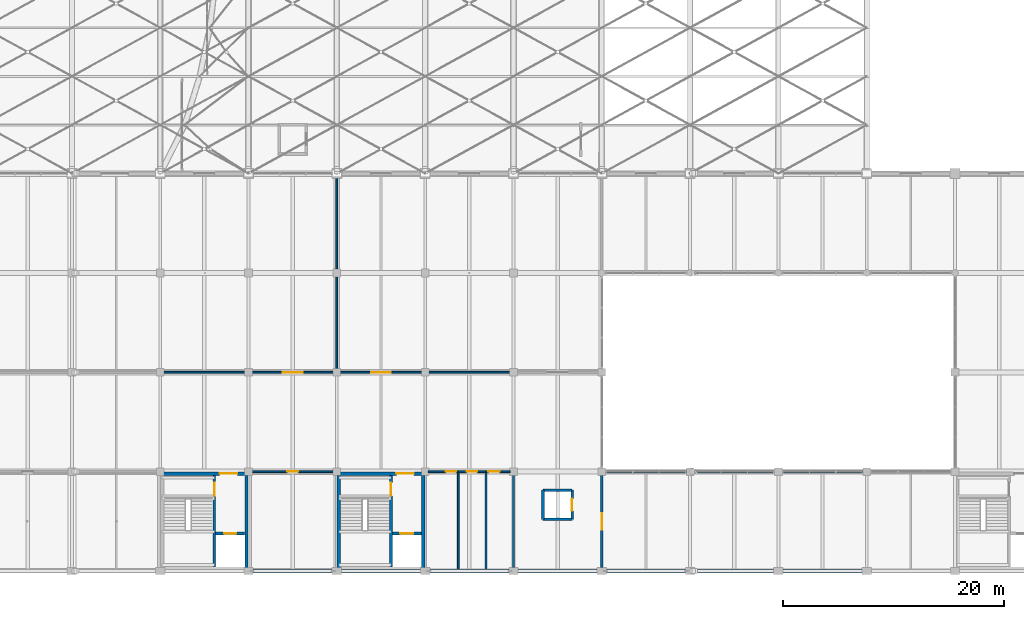
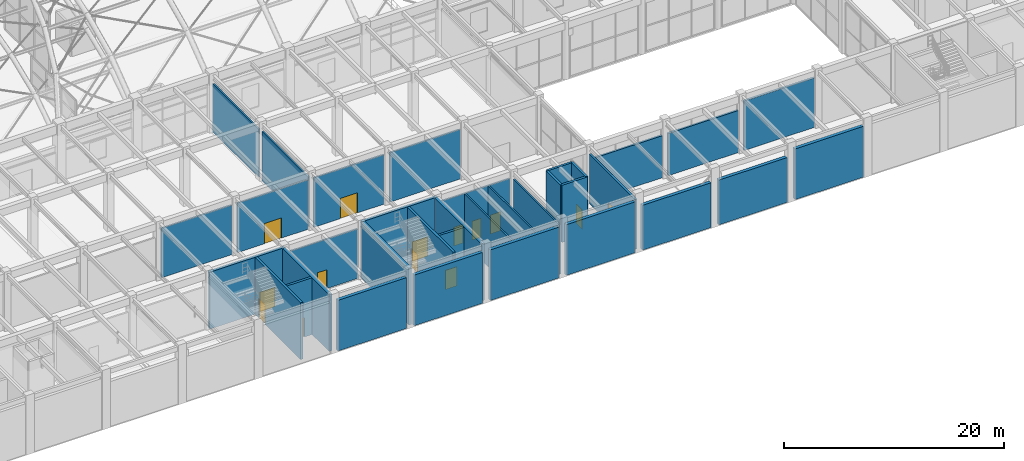
# One storey, part 128 of 163: 37 walls, 14 doors, 14 openings.
"""IFC4 building model written with IfcOpenShell, lengths in metres."""

from ifc_helpers import new_model, si_unit, direction, frame, frame_2d, origin, place, context, subcontext, project, spatial, rectangle, extrude, material, layer, layer_set, type_object, element, fill, save


model = new_model("IFC4")

# Units and contexts
model_context = context("Model", 3, precision=1e-05, world=origin(), true_north=direction((0.0, 1.0)))
body_context = subcontext(model_context, "Body", "Model", "MODEL_VIEW")
ifc_project = project(units=[si_unit("LENGTHUNIT", "METRE"), si_unit("AREAUNIT", "SQUARE_METRE"), si_unit("VOLUMEUNIT", "CUBIC_METRE"), si_unit("PLANEANGLEUNIT", "RADIAN"), si_unit("MASSUNIT", "GRAM", prefix="KILO")], contexts=[model_context])

# Site, building, storey
site_placement = place(None, origin())
site = spatial("IfcSite", under=ifc_project, at=site_placement, CompositionType="ELEMENT")
building_placement = place(site_placement, origin())
building = spatial("IfcBuilding", under=site, at=building_placement, Name="Varnabhumi Central Station", CompositionType="ELEMENT")
storey_placement = place(building_placement, frame((0.0, 0.0, 9.60009765625)))
storey = spatial("IfcBuildingStorey", under=building, at=storey_placement, Name="L02", CompositionType="ELEMENT", Elevation=9.60009765625)

# Walls
ifc_material_1 = material(Name="Autoclaved aerated blockwork masonry", Category="masonry")
ifc_layer_1 = layer(ifc_material_1, 0.219970703125, Name="Autoclaved aerated blockwork masonry", Category="masonry")
ifc_layer_set_1 = layer_set([ifc_layer_1], Name="Autoclaved aerated blockwork masonry")
wall_type_1 = type_object("IfcWallType", Name="WAL-COMP-AAC-220", PredefinedType="SOLIDWALL", material=ifc_layer_set_1)
for number, where, z_axis, x_axis, name in (
    (1, (112.300048828125, 9.0, 0.0), (0.0, 0.0, 1.0), (1.0, 0.0, 0.0), "Concourse AHU Plant Room Corridor Partition 1"),
    (2, (120.300048828125, 9.0, 0.0), (0.0, 0.0, 1.0), (1.0, 0.0, 0.0), "Concourse AHU Plant Room Corridor Partition 2"),
):
    element("IfcWall", number, at=place(storey_placement, frame(where, z_axis=z_axis, x_axis=x_axis)), inside=storey, type_object=wall_type_1, Name=name, PredefinedType="SOLIDWALL", context=body_context, shape_type="SweptSolid", body=[
        extrude(rectangle(XDim=7.39990234375, YDim=0.219970703125, at=frame_2d((3.699951171875, 0.0))), origin(), (0.0, 0.0, 1.0), 4.679931640625),
    ])
wall_1_placement = place(storey_placement, frame((128.300048828125, 9.0, 0.0), z_axis=(0.0, 0.0, 1.0), x_axis=(1.0, 0.0, 0.0)))
element("IfcWall", 3, at=wall_1_placement, inside=storey, type_object=wall_type_1, Name="Concourse AHU Plant Room Corridor Partition 3", PredefinedType="SOLIDWALL", context=body_context, shape_type="SweptSolid", body=[
    extrude(rectangle(XDim=7.39990234375, YDim=0.219970703125, at=frame_2d((3.699951171875, 0.0))), origin(), (0.0, 0.0, 1.0), 5.5),
])

# Wall, opening, door
wall_2_placement = place(storey_placement, frame((112.0, 0.300048828125, 0.0), z_axis=(0.0, 0.0, 1.0), x_axis=(0.0, 1.0, 0.0)))
wall_2 = element("IfcWall", 4, at=wall_2_placement, inside=storey, type_object=wall_type_1, Name="Concourse AHU Plant Room E Partition 1", PredefinedType="SOLIDWALL", context=body_context, shape_type="SweptSolid", body=[
    extrude(rectangle(XDim=8.39990234375, YDim=0.219970703125, at=frame_2d((4.199951171875, 0.0))), origin(), (0.0, 0.0, 1.0), 5.5),
])
opening_1_placement = place(wall_2_placement, frame((3.449951171875, 0.0, 0.0)))
opening_1 = element("IfcOpeningElement", 5, at=opening_1_placement, cuts=wall_2, Name="Opening FD-PLT", PredefinedType="OPENING", context=body_context, shape_type="SweptSolid", body=[
    extrude(rectangle(XDim=1.5, YDim=2.199951171875, at=frame_2d((0.75, 1.10009765625))), frame((0.0, 0.119873046875, 0.0), z_axis=(0.0, -1.0, 0.0), x_axis=(1.0, 0.0, 0.0)), (0.0, 0.0, 1.0), 0.239990234375),
])
ifc_material_2 = material(Name="Stainless steel Grade 316", Category="steel")
door_type_1 = type_object("IfcDoorType", Name="DR-PLANT-1500", OperationType="NOTDEFINED", PredefinedType="DOOR", material=ifc_material_2)
door_1_placement = place(opening_1_placement, frame((1.5, 0.0, 0.0), z_axis=(0.0, 0.0, 1.0), x_axis=(-1.0, 0.0, 0.0)))
door_1 = element("IfcDoor", 6, at=door_1_placement, inside=storey, type_object=door_type_1, Name="Concourse AHU Plant Room Corridor Access Door", OperationType="DOUBLE_DOOR_SINGLE_SWING", OverallHeight=2.199951171875, OverallWidth=1.5, PredefinedType="DOOR", context=body_context, shape_type="SweptSolid", body=[
    extrude(rectangle(XDim=1.5, YDim=2.199951171875, at=frame_2d((0.75, 1.10009765625))), frame((0.0, 0.02490234375, 0.0), z_axis=(0.0, -1.0, 0.0), x_axis=(1.0, 0.0, 0.0)), (0.0, 0.0, 1.0), 0.050048828125),
])
fill(opening_1, door_1)

# Walls
ifc_material_3 = material(Name="Concrete M40", Category="concrete")
ifc_layer_2 = layer(ifc_material_3, 0.300048828125, Name="Concrete M40", Category="concrete")
ifc_layer_set_2 = layer_set([ifc_layer_2], Name="Concrete M40")
wall_type_2 = type_object("IfcWallType", Name="WAL-CORE-RC-300", PredefinedType="SHEAR", material=ifc_layer_set_2)
for number, where, z_axis, x_axis, name in (
    (7, (88.179931640625, 0.179931640625, 0.0), (0.0, 0.0, 1.0), (0.0, 1.0, 0.0), "SC2 L02 West Shear Wall"),
    (8, (95.820068359375, 0.179931640625, 0.0), (0.0, 0.0, 1.0), (0.0, 1.0, 0.0), "SC2 L02 East Shear Wall"),
):
    element("IfcWall", number, at=place(storey_placement, frame(where, z_axis=z_axis, x_axis=x_axis)), inside=storey, type_object=wall_type_2, Name=name, PredefinedType="SHEAR", context=body_context, shape_type="SweptSolid", body=[
        extrude(rectangle(XDim=8.64013671875, YDim=0.300048828125, at=frame_2d((4.320068359375, 0.0))), origin(), (0.0, 0.0, 1.0), 6.31982421875),
    ])

# Wall, opening, door
wall_3_placement = place(storey_placement, frame((88.030029296875, 8.820068359375, 0.0), z_axis=(0.0, 0.0, 1.0), x_axis=(1.0, 0.0, 0.0)))
wall_3 = element("IfcWall", 9, at=wall_3_placement, inside=storey, type_object=wall_type_2, Name="SC2 L02 Corridor Shear Wall", PredefinedType="SHEAR", context=body_context, shape_type="SweptSolid", body=[
    extrude(rectangle(XDim=7.93994140625, YDim=0.300048828125, at=frame_2d((3.969970703125, 0.0))), origin(), (0.0, 0.0, 1.0), 6.31982421875),
])
opening_2_placement = place(wall_3_placement, frame((5.35009765625, 0.0, 0.0)))
opening_2 = element("IfcOpeningElement", 10, at=opening_2_placement, cuts=wall_3, Name="Opening FD-60D", PredefinedType="OPENING", context=body_context, shape_type="SweptSolid", body=[
    extrude(rectangle(XDim=1.60009765625, YDim=2.14990234375, at=frame_2d((0.800048828125, 1.074951171875))), frame((0.0, 0.159912109375, 0.0), z_axis=(0.0, -1.0, 0.0), x_axis=(1.0, 0.0, 0.0)), (0.0, 0.0, 1.0), 0.320068359375),
])
ifc_material_4 = material(Name="Intumescent-treated hardwood timber", Category="wood")
door_type_2 = type_object("IfcDoorType", Name="DR-FIRE-60-1600", OperationType="NOTDEFINED", PredefinedType="DOOR", material=ifc_material_4)
door_2_placement = place(opening_2_placement, origin())
door_2 = element("IfcDoor", 11, at=door_2_placement, inside=storey, type_object=door_type_2, Name="SC2 L02 Lobby Fire Door", OperationType="DOUBLE_DOOR_SINGLE_SWING", OverallHeight=2.14990234375, OverallWidth=1.60009765625, PredefinedType="DOOR", context=body_context, shape_type="SweptSolid", body=[
    extrude(rectangle(XDim=1.60009765625, YDim=2.14990234375, at=frame_2d((0.800048828125, 1.074951171875))), frame((0.0, 0.02490234375, 0.0), z_axis=(0.0, -1.0, 0.0), x_axis=(1.0, 0.0, 0.0)), (0.0, 0.0, 1.0), 0.050048828125),
])
fill(opening_2, door_2)

# Wall
wall_4_placement = place(storey_placement, frame((79.820068359375, 0.179931640625, 0.0), z_axis=(0.0, 0.0, 1.0), x_axis=(0.0, 1.0, 0.0)))
element("IfcWall", 12, at=wall_4_placement, inside=storey, type_object=wall_type_2, Name="SC4 L02 East Shear Wall", PredefinedType="SHEAR", context=body_context, shape_type="SweptSolid", body=[
    extrude(rectangle(XDim=8.64013671875, YDim=0.300048828125, at=frame_2d((4.320068359375, 0.0))), origin(), (0.0, 0.0, 1.0), 6.31982421875),
])

# Wall, opening, door
wall_5_placement = place(storey_placement, frame((72.030029296875, 8.820068359375, 0.0), z_axis=(0.0, 0.0, 1.0), x_axis=(1.0, 0.0, 0.0)))
wall_5 = element("IfcWall", 13, at=wall_5_placement, inside=storey, type_object=wall_type_2, Name="SC4 L02 Corridor Shear Wall", PredefinedType="SHEAR", context=body_context, shape_type="SweptSolid", body=[
    extrude(rectangle(XDim=7.93994140625, YDim=0.300048828125, at=frame_2d((3.969970703125, 0.0))), origin(), (0.0, 0.0, 1.0), 6.31982421875),
])
opening_3_placement = place(wall_5_placement, frame((5.35009765625, 0.0, 0.0)))
opening_3 = element("IfcOpeningElement", 14, at=opening_3_placement, cuts=wall_5, Name="Opening FD-60D", PredefinedType="OPENING", context=body_context, shape_type="SweptSolid", body=[
    extrude(rectangle(XDim=1.60009765625, YDim=2.14990234375, at=frame_2d((0.800048828125, 1.074951171875))), frame((0.0, 0.159912109375, 0.0), z_axis=(0.0, -1.0, 0.0), x_axis=(1.0, 0.0, 0.0)), (0.0, 0.0, 1.0), 0.320068359375),
])
door_3_placement = place(opening_3_placement, origin())
door_3 = element("IfcDoor", 15, at=door_3_placement, inside=storey, type_object=door_type_2, Name="SC4 L02 Lobby Fire Door", OperationType="DOUBLE_DOOR_SINGLE_SWING", OverallHeight=2.14990234375, OverallWidth=1.60009765625, PredefinedType="DOOR", context=body_context, shape_type="SweptSolid", body=[
    extrude(rectangle(XDim=1.60009765625, YDim=2.14990234375, at=frame_2d((0.800048828125, 1.074951171875))), frame((0.0, 0.02490234375, 0.0), z_axis=(0.0, -1.0, 0.0), x_axis=(1.0, 0.0, 0.0)), (0.0, 0.0, 1.0), 0.050048828125),
])
fill(opening_3, door_3)

# Wall
ifc_layer_3 = layer(ifc_material_1, 0.159912109375, Name="Autoclaved aerated blockwork masonry", Category="masonry")
ifc_layer_set_3 = layer_set([ifc_layer_3], Name="Autoclaved aerated blockwork masonry")
wall_type_3 = type_object("IfcWallType", Name="WAL-PART-AAC-160", PredefinedType="PARTITIONING", material=ifc_layer_set_3)
wall_6_placement = place(storey_placement, frame((72.300048828125, 18.0, 0.0), z_axis=(0.0, 0.0, 1.0), x_axis=(1.0, 0.0, 0.0)))
element("IfcWall", 16, at=wall_6_placement, inside=storey, type_object=wall_type_3, Name="South General Waiting Hall Corridor Partition 6", PredefinedType="PARTITIONING", context=body_context, shape_type="SweptSolid", body=[
    extrude(rectangle(XDim=7.39990234375, YDim=0.159912109375, at=frame_2d((3.699951171875, 0.0))), origin(), (0.0, 0.0, 1.0), 5.5),
])

# Wall, opening, door
wall_7_placement = place(storey_placement, frame((80.300048828125, 18.0, 0.0), z_axis=(0.0, 0.0, 1.0), x_axis=(1.0, 0.0, 0.0)))
wall_7 = element("IfcWall", 17, at=wall_7_placement, inside=storey, type_object=wall_type_3, Name="South General Waiting Hall Corridor Partition 7", PredefinedType="PARTITIONING", context=body_context, shape_type="SweptSolid", body=[
    extrude(rectangle(XDim=7.39990234375, YDim=0.159912109375, at=frame_2d((3.699951171875, 0.0))), origin(), (0.0, 0.0, 1.0), 5.5),
])
opening_4_placement = place(wall_7_placement, frame((2.800048828125, 0.0, 0.0)))
opening_4 = element("IfcOpeningElement", 18, at=opening_4_placement, cuts=wall_7, Name="Opening D-02", PredefinedType="OPENING", context=body_context, shape_type="SweptSolid", body=[
    extrude(rectangle(XDim=1.800048828125, YDim=2.25, at=frame_2d((0.89990234375, 1.125))), frame((0.0, 0.08984375, 0.0), z_axis=(0.0, -1.0, 0.0), x_axis=(1.0, 0.0, 0.0)), (0.0, 0.0, 1.0), 0.179931640625),
])
ifc_material_5 = material(Name="Anodised aluminium 6063-T6", Category="aluminium")
door_type_3 = type_object("IfcDoorType", Name="DR-LOUNGE-1800", OperationType="NOTDEFINED", PredefinedType="DOOR", material=ifc_material_5)
door_4_placement = place(opening_4_placement, frame((1.800048828125, 0.0, 0.0), z_axis=(0.0, 0.0, 1.0), x_axis=(-1.0, 0.0, 0.0)))
door_4 = element("IfcDoor", 19, at=door_4_placement, inside=storey, type_object=door_type_3, Name="South General Waiting Hall Door 7", OperationType="DOUBLE_DOOR_SINGLE_SWING", OverallHeight=2.25, OverallWidth=1.800048828125, PredefinedType="DOOR", context=body_context, shape_type="SweptSolid", body=[
    extrude(rectangle(XDim=1.800048828125, YDim=2.25, at=frame_2d((0.89990234375, 1.125))), frame((0.0, 0.02490234375, 0.0), z_axis=(0.0, -1.0, 0.0), x_axis=(1.0, 0.0, 0.0)), (0.0, 0.0, 1.0), 0.050048828125),
])
fill(opening_4, door_4)

# Walls
wall_8_placement = place(storey_placement, frame((88.0, 18.300048828125, 0.0), z_axis=(0.0, 0.0, 1.0), x_axis=(0.0, 1.0, 0.0)))
element("IfcWall", 20, at=wall_8_placement, inside=storey, type_object=wall_type_3, Name="South General Waiting Hall W Partition 1", PredefinedType="PARTITIONING", context=body_context, shape_type="SweptSolid", body=[
    extrude(rectangle(XDim=8.39990234375, YDim=0.159912109375, at=frame_2d((4.199951171875, 0.0))), origin(), (0.0, 0.0, 1.0), 5.5),
])
wall_9_placement = place(storey_placement, frame((88.0, 27.300048828125, 0.0), z_axis=(0.0, 0.0, 1.0), x_axis=(0.0, 1.0, 0.0)))
element("IfcWall", 21, at=wall_9_placement, inside=storey, type_object=wall_type_3, Name="South General Waiting Hall W Partition 2", PredefinedType="PARTITIONING", context=body_context, shape_type="SweptSolid", body=[
    extrude(rectangle(XDim=8.39990234375, YDim=0.159912109375, at=frame_2d((4.199951171875, 0.0))), origin(), (0.0, 0.0, 1.0), 5.35986328125),
])

# Wall, opening, door
wall_10_placement = place(storey_placement, frame((80.300048828125, 9.0, 0.0), z_axis=(0.0, 0.0, 1.0), x_axis=(1.0, 0.0, 0.0)))
wall_10 = element("IfcWall", 22, at=wall_10_placement, inside=storey, type_object=wall_type_3, Name="Concourse Rail Pass and Tourist Bureau Corridor Partition 1", PredefinedType="PARTITIONING", context=body_context, shape_type="SweptSolid", body=[
    extrude(rectangle(XDim=7.39990234375, YDim=0.159912109375, at=frame_2d((3.699951171875, 0.0))), origin(), (0.0, 0.0, 1.0), 5.5),
])
opening_5_placement = place(wall_10_placement, frame((3.199951171875, 0.0, 0.0)))
opening_5 = element("IfcOpeningElement", 23, at=opening_5_placement, cuts=wall_10, Name="Opening D-01", PredefinedType="OPENING", context=body_context, shape_type="SweptSolid", body=[
    extrude(rectangle(XDim=1.0, YDim=2.10009765625, at=frame_2d((0.5, 1.050048828125))), frame((0.0, 0.08984375, 0.0), z_axis=(0.0, -1.0, 0.0), x_axis=(1.0, 0.0, 0.0)), (0.0, 0.0, 1.0), 0.179931640625),
])
door_type_4 = type_object("IfcDoorType", Name="DR-ROOM-1000", OperationType="NOTDEFINED", PredefinedType="DOOR", material=ifc_material_4)
door_5_placement = place(opening_5_placement, origin())
door_5 = element("IfcDoor", 24, at=door_5_placement, inside=storey, type_object=door_type_4, Name="Concourse Rail Pass and Tourist Bureau Door 1", OperationType="SINGLE_SWING_RIGHT", OverallHeight=2.10009765625, OverallWidth=1.0, PredefinedType="DOOR", context=body_context, shape_type="SweptSolid", body=[
    extrude(rectangle(XDim=1.0, YDim=2.10009765625, at=frame_2d((0.5, 1.050048828125))), frame((0.0, 0.02490234375, 0.0), z_axis=(0.0, -1.0, 0.0), x_axis=(1.0, 0.0, 0.0)), (0.0, 0.0, 1.0), 0.050048828125),
])
fill(opening_5, door_5)

wall_11_placement = place(storey_placement, frame((96.300048828125, 9.0, 0.0), z_axis=(0.0, 0.0, 1.0), x_axis=(1.0, 0.0, 0.0)))
wall_11 = element("IfcWall", 25, at=wall_11_placement, inside=storey, type_object=wall_type_3, Name="Public Male WC L02 South Corridor Partition 1", PredefinedType="PARTITIONING", context=body_context, shape_type="SweptSolid", body=[
    extrude(rectangle(XDim=2.699951171875, YDim=0.159912109375, at=frame_2d((1.35009765625, 0.0))), origin(), (0.0, 0.0, 1.0), 5.5),
])
opening_6_placement = place(wall_11_placement, frame((1.550048828125, 0.0, 0.0)))
opening_6 = element("IfcOpeningElement", 26, at=opening_6_placement, cuts=wall_11, Name="Opening D-04", PredefinedType="OPENING", context=body_context, shape_type="SweptSolid", body=[
    extrude(rectangle(XDim=0.949951171875, YDim=2.10009765625, at=frame_2d((0.47509765625, 1.050048828125))), frame((0.0, 0.08984375, 0.0), z_axis=(0.0, -1.0, 0.0), x_axis=(1.0, 0.0, 0.0)), (0.0, 0.0, 1.0), 0.179931640625),
])
door_type_5 = type_object("IfcDoorType", Name="DR-WC-950", OperationType="NOTDEFINED", PredefinedType="DOOR", material=ifc_material_4)
door_6_placement = place(opening_6_placement, origin())
door_6 = element("IfcDoor", 27, at=door_6_placement, inside=storey, type_object=door_type_5, Name="Public Male WC L02 South Door 1", OperationType="SINGLE_SWING_RIGHT", OverallHeight=2.10009765625, OverallWidth=0.949951171875, PredefinedType="DOOR", context=body_context, shape_type="SweptSolid", body=[
    extrude(rectangle(XDim=0.949951171875, YDim=2.10009765625, at=frame_2d((0.47509765625, 1.050048828125))), frame((0.0, 0.02490234375, 0.0), z_axis=(0.0, -1.0, 0.0), x_axis=(1.0, 0.0, 0.0)), (0.0, 0.0, 1.0), 0.050048828125),
])
fill(opening_6, door_6)

# Wall
wall_12_placement = place(storey_placement, frame((99.0, 0.159912109375, 0.0), z_axis=(0.0, 0.0, 1.0), x_axis=(0.0, 1.0, 0.0)))
element("IfcWall", 28, at=wall_12_placement, inside=storey, type_object=wall_type_3, Name="Public Male WC L02 South W Partition 1", PredefinedType="PARTITIONING", context=body_context, shape_type="SweptSolid", body=[
    extrude(rectangle(XDim=8.760009765625, YDim=0.159912109375, at=frame_2d((4.3798828125, 0.0))), origin(), (0.0, 0.0, 1.0), 5.5),
])

# Wall, opening, door
wall_13_placement = place(storey_placement, frame((99.0, 9.0, 0.0), z_axis=(0.0, 0.0, 1.0), x_axis=(1.0, 0.0, 0.0)))
wall_13 = element("IfcWall", 29, at=wall_13_placement, inside=storey, type_object=wall_type_3, Name="Public Female WC L02 South Corridor Partition 1", PredefinedType="PARTITIONING", context=body_context, shape_type="SweptSolid", body=[
    extrude(rectangle(XDim=2.5, YDim=0.159912109375, at=frame_2d((1.25, 0.0))), origin(), (0.0, 0.0, 1.0), 5.5),
])
opening_7_placement = place(wall_13_placement, frame((0.77490234375, 0.0, 0.0)))
opening_7 = element("IfcOpeningElement", 30, at=opening_7_placement, cuts=wall_13, Name="Opening D-04", PredefinedType="OPENING", context=body_context, shape_type="SweptSolid", body=[
    extrude(rectangle(XDim=0.949951171875, YDim=2.10009765625, at=frame_2d((0.47509765625, 1.050048828125))), frame((0.0, 0.08984375, 0.0), z_axis=(0.0, -1.0, 0.0), x_axis=(1.0, 0.0, 0.0)), (0.0, 0.0, 1.0), 0.179931640625),
])
door_7_placement = place(opening_7_placement, origin())
door_7 = element("IfcDoor", 31, at=door_7_placement, inside=storey, type_object=door_type_5, Name="Public Female WC L02 South Door 1", OperationType="SINGLE_SWING_LEFT", OverallHeight=2.10009765625, OverallWidth=0.949951171875, PredefinedType="DOOR", context=body_context, shape_type="SweptSolid", body=[
    extrude(rectangle(XDim=0.949951171875, YDim=2.10009765625, at=frame_2d((0.47509765625, 1.050048828125))), frame((0.0, 0.02490234375, 0.0), z_axis=(0.0, -1.0, 0.0), x_axis=(1.0, 0.0, 0.0)), (0.0, 0.0, 1.0), 0.050048828125),
])
fill(opening_7, door_7)

# Wall
wall_14_placement = place(storey_placement, frame((101.5, 0.159912109375, 0.0), z_axis=(0.0, 0.0, 1.0), x_axis=(0.0, 1.0, 0.0)))
element("IfcWall", 32, at=wall_14_placement, inside=storey, type_object=wall_type_3, Name="Public Female WC L02 South W Partition 1", PredefinedType="PARTITIONING", context=body_context, shape_type="SweptSolid", body=[
    extrude(rectangle(XDim=8.760009765625, YDim=0.159912109375, at=frame_2d((4.3798828125, 0.0))), origin(), (0.0, 0.0, 1.0), 5.5),
])

# Wall, opening, door
wall_15_placement = place(storey_placement, frame((101.5, 9.0, 0.0), z_axis=(0.0, 0.0, 1.0), x_axis=(1.0, 0.0, 0.0)))
wall_15 = element("IfcWall", 33, at=wall_15_placement, inside=storey, type_object=wall_type_3, Name="Accessible WC L02 South Corridor Partition 1", PredefinedType="PARTITIONING", context=body_context, shape_type="SweptSolid", body=[
    extrude(rectangle(XDim=2.199951171875, YDim=0.159912109375, at=frame_2d((1.10009765625, 0.0))), origin(), (0.0, 0.0, 1.0), 5.5),
])
opening_8_placement = place(wall_15_placement, frame((0.199951171875, 0.0, 0.0)))
opening_8 = element("IfcOpeningElement", 34, at=opening_8_placement, cuts=wall_15, Name="Opening D-05", PredefinedType="OPENING", context=body_context, shape_type="SweptSolid", body=[
    extrude(rectangle(XDim=1.050048828125, YDim=2.10009765625, at=frame_2d((0.52490234375, 1.050048828125))), frame((0.0, 0.08984375, 0.0), z_axis=(0.0, -1.0, 0.0), x_axis=(1.0, 0.0, 0.0)), (0.0, 0.0, 1.0), 0.179931640625),
])
door_type_6 = type_object("IfcDoorType", Name="DR-ACC-WC-1050", OperationType="NOTDEFINED", PredefinedType="DOOR", material=ifc_material_4)
door_8_placement = place(opening_8_placement, origin())
door_8 = element("IfcDoor", 35, at=door_8_placement, inside=storey, type_object=door_type_6, Name="Accessible WC L02 South Door 1", OperationType="SINGLE_SWING_RIGHT", OverallHeight=2.10009765625, OverallWidth=1.050048828125, PredefinedType="DOOR", context=body_context, shape_type="SweptSolid", body=[
    extrude(rectangle(XDim=1.050048828125, YDim=2.10009765625, at=frame_2d((0.52490234375, 1.050048828125))), frame((0.0, 0.02490234375, 0.0), z_axis=(0.0, -1.0, 0.0), x_axis=(1.0, 0.0, 0.0)), (0.0, 0.0, 1.0), 0.050048828125),
])
fill(opening_8, door_8)

# Wall
wall_16_placement = place(storey_placement, frame((104.0, 0.300048828125, 0.0), z_axis=(0.0, 0.0, 1.0), x_axis=(0.0, 1.0, 0.0)))
element("IfcWall", 36, at=wall_16_placement, inside=storey, type_object=wall_type_3, Name="Accessible WC L02 South W Partition 1", PredefinedType="PARTITIONING", context=body_context, shape_type="SweptSolid", body=[
    extrude(rectangle(XDim=8.39990234375, YDim=0.159912109375, at=frame_2d((4.199951171875, 0.0))), origin(), (0.0, 0.0, 1.0), 5.5),
])

# Wall, opening, door
wall_17_placement = place(storey_placement, frame((88.300048828125, 18.0, 0.0), z_axis=(0.0, 0.0, 1.0), x_axis=(1.0, 0.0, 0.0)))
wall_17 = element("IfcWall", 37, at=wall_17_placement, inside=storey, type_object=wall_type_3, Name="Family Waiting Hall Corridor Partition 1", PredefinedType="PARTITIONING", context=body_context, shape_type="SweptSolid", body=[
    extrude(rectangle(XDim=7.39990234375, YDim=0.159912109375, at=frame_2d((3.699951171875, 0.0))), origin(), (0.0, 0.0, 1.0), 5.5),
])
opening_9_placement = place(wall_17_placement, frame((2.800048828125, 0.0, 0.0)))
opening_9 = element("IfcOpeningElement", 38, at=opening_9_placement, cuts=wall_17, Name="Opening D-02", PredefinedType="OPENING", context=body_context, shape_type="SweptSolid", body=[
    extrude(rectangle(XDim=1.800048828125, YDim=2.25, at=frame_2d((0.89990234375, 1.125))), frame((0.0, 0.08984375, 0.0), z_axis=(0.0, -1.0, 0.0), x_axis=(1.0, 0.0, 0.0)), (0.0, 0.0, 1.0), 0.179931640625),
])
door_9_placement = place(opening_9_placement, frame((1.800048828125, 0.0, 0.0), z_axis=(0.0, 0.0, 1.0), x_axis=(-1.0, 0.0, 0.0)))
door_9 = element("IfcDoor", 39, at=door_9_placement, inside=storey, type_object=door_type_3, Name="Family Waiting Hall Door 1", OperationType="DOUBLE_DOOR_SINGLE_SWING", OverallHeight=2.25, OverallWidth=1.800048828125, PredefinedType="DOOR", context=body_context, shape_type="SweptSolid", body=[
    extrude(rectangle(XDim=1.800048828125, YDim=2.25, at=frame_2d((0.89990234375, 1.125))), frame((0.0, 0.02490234375, 0.0), z_axis=(0.0, -1.0, 0.0), x_axis=(1.0, 0.0, 0.0)), (0.0, 0.0, 1.0), 0.050048828125),
])
fill(opening_9, door_9)

# Wall
wall_18_placement = place(storey_placement, frame((96.300048828125, 18.0, 0.0), z_axis=(0.0, 0.0, 1.0), x_axis=(1.0, 0.0, 0.0)))
element("IfcWall", 40, at=wall_18_placement, inside=storey, type_object=wall_type_3, Name="Family Waiting Hall Corridor Partition 2", PredefinedType="PARTITIONING", context=body_context, shape_type="SweptSolid", body=[
    extrude(rectangle(XDim=7.39990234375, YDim=0.159912109375, at=frame_2d((3.699951171875, 0.0))), origin(), (0.0, 0.0, 1.0), 5.5),
])

# Wall, opening, door
ifc_layer_4 = layer(ifc_material_3, 0.239990234375, Name="Concrete M40", Category="concrete")
ifc_layer_set_4 = layer_set([ifc_layer_4], Name="Concrete M40")
wall_type_4 = type_object("IfcWallType", Name="WAL-SHAFT-RC-240", PredefinedType="SHEAR", material=ifc_layer_set_4)
wall_19_placement = place(storey_placement, frame((92.89990234375, 0.35009765625, 0.0), z_axis=(0.0, 0.0, 1.0), x_axis=(0.0, 1.0, 0.0)))
wall_19 = element("IfcWall", 41, at=wall_19_placement, inside=storey, type_object=wall_type_4, Name="SC2 L02 Stair-Lobby Divider Wall", PredefinedType="SHEAR", context=body_context, shape_type="SweptSolid", body=[
    extrude(rectangle(XDim=8.2998046875, YDim=0.239990234375, at=frame_2d((4.14990234375, 0.0))), origin(), (0.0, 0.0, 1.0), 6.31982421875),
])
opening_10_placement = place(wall_19_placement, frame((6.449951171875, 0.0, 0.0)))
opening_10 = element("IfcOpeningElement", 42, at=opening_10_placement, cuts=wall_19, Name="Opening FD-120", PredefinedType="OPENING", context=body_context, shape_type="SweptSolid", body=[
    extrude(rectangle(XDim=1.199951171875, YDim=2.14990234375, at=frame_2d((0.60009765625, 1.074951171875))), frame((0.0, 0.1298828125, 0.0), z_axis=(0.0, -1.0, 0.0), x_axis=(1.0, 0.0, 0.0)), (0.0, 0.0, 1.0), 0.260009765625),
])
door_type_7 = type_object("IfcDoorType", Name="DR-FIRE-120-1200", OperationType="NOTDEFINED", PredefinedType="DOOR", material=ifc_material_2)
door_10_placement = place(opening_10_placement, frame((1.199951171875, 0.0, 0.0), z_axis=(0.0, 0.0, 1.0), x_axis=(-1.0, 0.0, 0.0)))
door_10 = element("IfcDoor", 43, at=door_10_placement, inside=storey, type_object=door_type_7, Name="ST-S2 L02 Fire Door", OperationType="SINGLE_SWING_LEFT", OverallHeight=2.14990234375, OverallWidth=1.199951171875, PredefinedType="DOOR", context=body_context, shape_type="SweptSolid", body=[
    extrude(rectangle(XDim=1.199951171875, YDim=2.14990234375, at=frame_2d((0.60009765625, 1.074951171875))), frame((0.0, 0.02490234375, 0.0), z_axis=(0.0, -1.0, 0.0), x_axis=(1.0, 0.0, 0.0)), (0.0, 0.0, 1.0), 0.050048828125),
])
fill(opening_10, door_10)

wall_20_placement = place(storey_placement, frame((93.02001953125, 3.39990234375, 0.0), z_axis=(0.0, 0.0, 1.0), x_axis=(1.0, 0.0, 0.0)))
wall_20 = element("IfcWall", 44, at=wall_20_placement, inside=storey, type_object=wall_type_4, Name="FL-2 L02 Lift Shaft Front Wall", PredefinedType="SHEAR", context=body_context, shape_type="SweptSolid", body=[
    extrude(rectangle(XDim=2.6298828125, YDim=0.239990234375, at=frame_2d((1.31494140625, 0.0))), origin(), (0.0, 0.0, 1.0), 6.31982421875),
])
opening_11_placement = place(wall_20_placement, frame((0.715087890625, 0.0, 0.0)))
opening_11 = element("IfcOpeningElement", 45, at=opening_11_placement, cuts=wall_20, Name="Opening LD-FL-2", PredefinedType="OPENING", context=body_context, shape_type="SweptSolid", body=[
    extrude(rectangle(XDim=1.199951171875, YDim=2.14990234375, at=frame_2d((0.60009765625, 1.074951171875))), frame((0.0, 0.1298828125, 0.0), z_axis=(0.0, -1.0, 0.0), x_axis=(1.0, 0.0, 0.0)), (0.0, 0.0, 1.0), 0.260009765625),
])
door_type_8 = type_object("IfcDoorType", Name="DR-LIFT-FIRE-1200", OperationType="NOTDEFINED", PredefinedType="DOOR", material=ifc_material_2)
door_11_placement = place(opening_11_placement, origin())
door_11 = element("IfcDoor", 46, at=door_11_placement, inside=storey, type_object=door_type_8, Name="Lift Landing Door FL-2 L02", OperationType="DOUBLE_DOOR_SLIDING", OverallHeight=2.14990234375, OverallWidth=1.199951171875, PredefinedType="DOOR", context=body_context, shape_type="SweptSolid", body=[
    extrude(rectangle(XDim=1.199951171875, YDim=2.14990234375, at=frame_2d((0.60009765625, 1.074951171875))), frame((0.0, 0.02490234375, 0.0), z_axis=(0.0, -1.0, 0.0), x_axis=(1.0, 0.0, 0.0)), (0.0, 0.0, 1.0), 0.050048828125),
])
fill(opening_11, door_11)

wall_21_placement = place(storey_placement, frame((76.89990234375, 0.35009765625, 0.0), z_axis=(0.0, 0.0, 1.0), x_axis=(0.0, 1.0, 0.0)))
wall_21 = element("IfcWall", 47, at=wall_21_placement, inside=storey, type_object=wall_type_4, Name="SC4 L02 Stair-Lobby Divider Wall", PredefinedType="SHEAR", context=body_context, shape_type="SweptSolid", body=[
    extrude(rectangle(XDim=8.2998046875, YDim=0.239990234375, at=frame_2d((4.14990234375, 0.0))), origin(), (0.0, 0.0, 1.0), 6.31982421875),
])
opening_12_placement = place(wall_21_placement, frame((6.449951171875, 0.0, 0.0)))
opening_12 = element("IfcOpeningElement", 48, at=opening_12_placement, cuts=wall_21, Name="Opening FD-120", PredefinedType="OPENING", context=body_context, shape_type="SweptSolid", body=[
    extrude(rectangle(XDim=1.199951171875, YDim=2.14990234375, at=frame_2d((0.60009765625, 1.074951171875))), frame((0.0, 0.1298828125, 0.0), z_axis=(0.0, -1.0, 0.0), x_axis=(1.0, 0.0, 0.0)), (0.0, 0.0, 1.0), 0.260009765625),
])
door_12_placement = place(opening_12_placement, frame((1.199951171875, 0.0, 0.0), z_axis=(0.0, 0.0, 1.0), x_axis=(-1.0, 0.0, 0.0)))
door_12 = element("IfcDoor", 49, at=door_12_placement, inside=storey, type_object=door_type_7, Name="ST-S4 L02 Fire Door", OperationType="SINGLE_SWING_LEFT", OverallHeight=2.14990234375, OverallWidth=1.199951171875, PredefinedType="DOOR", context=body_context, shape_type="SweptSolid", body=[
    extrude(rectangle(XDim=1.199951171875, YDim=2.14990234375, at=frame_2d((0.60009765625, 1.074951171875))), frame((0.0, 0.02490234375, 0.0), z_axis=(0.0, -1.0, 0.0), x_axis=(1.0, 0.0, 0.0)), (0.0, 0.0, 1.0), 0.050048828125),
])
fill(opening_12, door_12)

wall_22_placement = place(storey_placement, frame((77.02001953125, 3.39990234375, 0.0), z_axis=(0.0, 0.0, 1.0), x_axis=(1.0, 0.0, 0.0)))
wall_22 = element("IfcWall", 50, at=wall_22_placement, inside=storey, type_object=wall_type_4, Name="PL-10 L02 Lift Shaft Front Wall", PredefinedType="SHEAR", context=body_context, shape_type="SweptSolid", body=[
    extrude(rectangle(XDim=2.6298828125, YDim=0.239990234375, at=frame_2d((1.31494140625, 0.0))), origin(), (0.0, 0.0, 1.0), 6.31982421875),
])
opening_13_placement = place(wall_22_placement, frame((0.764892578125, 0.0, 0.0)))
opening_13 = element("IfcOpeningElement", 51, at=opening_13_placement, cuts=wall_22, Name="Opening LD-PL-10", PredefinedType="OPENING", context=body_context, shape_type="SweptSolid", body=[
    extrude(rectangle(XDim=1.10009765625, YDim=2.14990234375, at=frame_2d((0.550048828125, 1.074951171875))), frame((0.0, 0.1298828125, 0.0), z_axis=(0.0, -1.0, 0.0), x_axis=(1.0, 0.0, 0.0)), (0.0, 0.0, 1.0), 0.260009765625),
])
door_type_9 = type_object("IfcDoorType", Name="DR-LIFT-PASS-1100", OperationType="NOTDEFINED", PredefinedType="DOOR", material=ifc_material_2)
door_13_placement = place(opening_13_placement, origin())
door_13 = element("IfcDoor", 52, at=door_13_placement, inside=storey, type_object=door_type_9, Name="Lift Landing Door PL-10 L02", OperationType="DOUBLE_DOOR_SLIDING", OverallHeight=2.14990234375, OverallWidth=1.10009765625, PredefinedType="DOOR", context=body_context, shape_type="SweptSolid", body=[
    extrude(rectangle(XDim=1.10009765625, YDim=2.14990234375, at=frame_2d((0.550048828125, 1.074951171875))), frame((0.0, 0.02490234375, 0.0), z_axis=(0.0, -1.0, 0.0), x_axis=(1.0, 0.0, 0.0)), (0.0, 0.0, 1.0), 0.050048828125),
])
fill(opening_13, door_13)

# Walls
for number, where, z_axis, x_axis, name in (
    (53, (106.679931640625, 4.679931640625, 0.0), (0.0, 0.0, 1.0), (0.0, 1.0, 0.0), "PL-8 L02 Shaft West Wall"),
    (54, (106.679931640625, 4.679931640625, 0.0), (0.0, 0.0, 1.0), (1.0, 0.0, 0.0), "PL-8 L02 Shaft South Wall"),
    (55, (106.679931640625, 7.320068359375, 0.0), (0.0, 0.0, 1.0), (1.0, 0.0, 0.0), "PL-8 L02 Shaft North Wall"),
):
    element("IfcWall", number, at=place(storey_placement, frame(where, z_axis=z_axis, x_axis=x_axis)), inside=storey, type_object=wall_type_4, Name=name, PredefinedType="SHEAR", context=body_context, shape_type="SweptSolid", body=[
        extrude(rectangle(XDim=2.64013671875, YDim=0.239990234375, at=frame_2d((1.320068359375, 0.0))), origin(), (0.0, 0.0, 1.0), 6.349853515625),
    ])

# Wall, opening, door
wall_23_placement = place(storey_placement, frame((109.320068359375, 4.679931640625, 0.0), z_axis=(0.0, 0.0, 1.0), x_axis=(0.0, 1.0, 0.0)))
wall_23 = element("IfcWall", 56, at=wall_23_placement, inside=storey, type_object=wall_type_4, Name="PL-8 L02 Shaft Front Wall", PredefinedType="SHEAR", context=body_context, shape_type="SweptSolid", body=[
    extrude(rectangle(XDim=2.64013671875, YDim=0.239990234375, at=frame_2d((1.320068359375, 0.0))), origin(), (0.0, 0.0, 1.0), 6.349853515625),
])
opening_14_placement = place(wall_23_placement, frame((0.77001953125, 0.0, 0.0)))
opening_14 = element("IfcOpeningElement", 57, at=opening_14_placement, cuts=wall_23, Name="Opening LD-PL-8", PredefinedType="OPENING", context=body_context, shape_type="SweptSolid", body=[
    extrude(rectangle(XDim=1.10009765625, YDim=2.14990234375, at=frame_2d((0.550048828125, 1.074951171875))), frame((0.0, 0.1298828125, 0.0), z_axis=(0.0, -1.0, 0.0), x_axis=(1.0, 0.0, 0.0)), (0.0, 0.0, 1.0), 0.260009765625),
])
door_14_placement = place(opening_14_placement, origin())
door_14 = element("IfcDoor", 58, at=door_14_placement, inside=storey, type_object=door_type_9, Name="Lift Landing Door PL-8 L02", OperationType="DOUBLE_DOOR_SLIDING", OverallHeight=2.14990234375, OverallWidth=1.10009765625, PredefinedType="DOOR", context=body_context, shape_type="SweptSolid", body=[
    extrude(rectangle(XDim=1.10009765625, YDim=2.14990234375, at=frame_2d((0.550048828125, 1.074951171875))), frame((0.0, 0.02490234375, 0.0), z_axis=(0.0, -1.0, 0.0), x_axis=(1.0, 0.0, 0.0)), (0.0, 0.0, 1.0), 0.050048828125),
])
fill(opening_14, door_14)

# Walls
ifc_layer_5 = layer(ifc_material_3, 0.340087890625, Name="Concrete M40", Category="concrete")
ifc_layer_set_5 = layer_set([ifc_layer_5], Name="Concrete M40")
wall_type_5 = type_object("IfcWallType", Name="WAL-SOUTH-FIRE-340", PredefinedType="SOLIDWALL", material=ifc_layer_set_5)
for number, where, z_axis, x_axis, name in (
    (59, (80.39990234375, 0.0, 0.0), (0.0, 0.0, 1.0), (1.0, 0.0, 0.0), "South Infill Boundary Fire Wall L02-7"),
    (60, (88.39990234375, 0.0, 0.0), (0.0, 0.0, 1.0), (1.0, 0.0, 0.0), "South Infill Boundary Fire Wall L02-8"),
    (61, (96.39990234375, 0.0, 0.0), (0.0, 0.0, 1.0), (1.0, 0.0, 0.0), "South Infill Boundary Fire Wall L02-9"),
    (62, (104.39990234375, 0.0, 0.0), (0.0, 0.0, 1.0), (1.0, 0.0, 0.0), "South Infill Boundary Fire Wall L02-10"),
):
    element("IfcWall", number, at=place(storey_placement, frame(where, z_axis=z_axis, x_axis=x_axis)), inside=storey, type_object=wall_type_5, Name=name, PredefinedType="SOLIDWALL", context=body_context, shape_type="SweptSolid", body=[
        extrude(rectangle(XDim=7.2001953125, YDim=0.340087890625, at=frame_2d((3.60009765625, 0.0))), origin(), (0.0, 0.0, 1.0), 5.639892578125),
    ])
for number, where, z_axis, x_axis, name in (
    (63, (112.39990234375, 0.0, 0.0), (0.0, 0.0, 1.0), (1.0, 0.0, 0.0), "South Infill Boundary Fire Wall L02-11"),
    (64, (120.39990234375, 0.0, 0.0), (0.0, 0.0, 1.0), (1.0, 0.0, 0.0), "South Infill Boundary Fire Wall L02-12"),
):
    element("IfcWall", number, at=place(storey_placement, frame(where, z_axis=z_axis, x_axis=x_axis)), inside=storey, type_object=wall_type_5, Name=name, PredefinedType="SOLIDWALL", context=body_context, shape_type="SweptSolid", body=[
        extrude(rectangle(XDim=7.2001953125, YDim=0.340087890625, at=frame_2d((3.60009765625, 0.0))), origin(), (0.0, 0.0, 1.0), 4.97998046875),
    ])
wall_24_placement = place(storey_placement, frame((128.39990234375, 0.0, 0.0), z_axis=(0.0, 0.0, 1.0), x_axis=(1.0, 0.0, 0.0)))
element("IfcWall", 65, at=wall_24_placement, inside=storey, type_object=wall_type_5, Name="South Infill Boundary Fire Wall L02-13", PredefinedType="SOLIDWALL", context=body_context, shape_type="SweptSolid", body=[
    extrude(rectangle(XDim=7.2001953125, YDim=0.340087890625, at=frame_2d((3.60009765625, 0.0))), origin(), (0.0, 0.0, 1.0), 5.639892578125),
])

save(model, "model.ifc")
